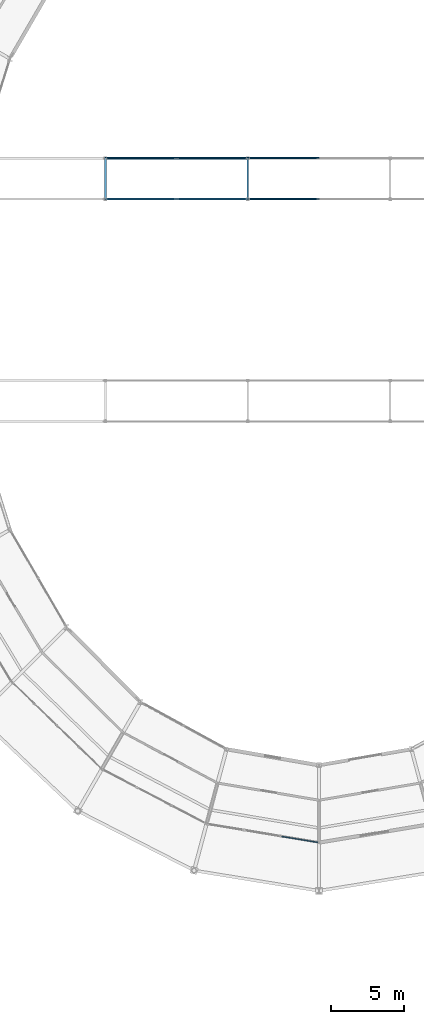
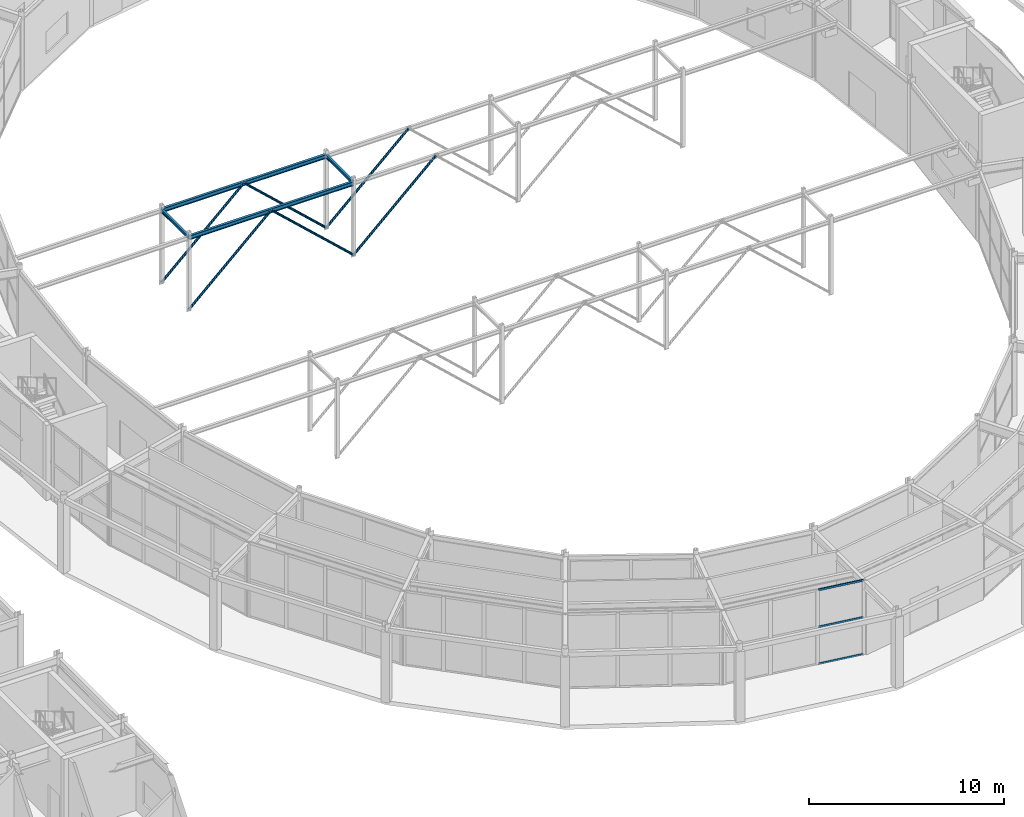
# One storey, part 49 of 144: 9 members, 4 beams, 1 element without a shape of its own.
"""IFC4 building model written with IfcOpenShell, lengths in metres."""

from ifc_helpers import new_model, si_unit, direction, frame, origin, origin_2d, place, context, subcontext, project, spatial, hollow_rectangle, hollow_circle, i_section, extrude, material, material_profile, profile_set, type_object, element, aggregate, save


model = new_model("IFC4")

# Units and contexts
model_context = context("Model", 3, precision=1e-05, world=origin(), true_north=direction((0.0, 1.0)))
body_context = subcontext(model_context, "Body", "Model", "MODEL_VIEW")
ifc_project = project(units=[si_unit("LENGTHUNIT", "METRE"), si_unit("AREAUNIT", "SQUARE_METRE"), si_unit("VOLUMEUNIT", "CUBIC_METRE"), si_unit("PLANEANGLEUNIT", "RADIAN"), si_unit("MASSUNIT", "GRAM", prefix="KILO")], contexts=[model_context])

# Site, building, storey
site_placement = place(None, origin())
site = spatial("IfcSite", under=ifc_project, at=site_placement, CompositionType="ELEMENT")
building_placement = place(site_placement, origin())
building = spatial("IfcBuilding", under=site, at=building_placement, Name="Karori Crest Natural Sciences Institute", CompositionType="ELEMENT")
storey_placement = place(building_placement, origin())
storey = spatial("IfcBuildingStorey", under=building, at=storey_placement, Name="L00", CompositionType="ELEMENT", Elevation=0.0)

# Beams
ifc_material_1 = material(Name="Structural steel AS/NZS 3679.1 Grade 350", Category="steel")
ifc_material_profile_1 = material_profile(ifc_material_1, i_section(OverallWidth=0.14599609375, OverallDepth=0.256103515625, WebThickness=0.00634765625, FlangeThickness=0.010986328125, FilletRadius=0.009033203125, at=origin_2d()), Name="250UB37.3")
ifc_profile_set_1 = profile_set([ifc_material_profile_1], Name="Structural steel AS/NZS 3679.1 Grade 350")
beam_type_1 = type_object("IfcBeamType", Name="BT-11", PredefinedType="BEAM", material=ifc_profile_set_1)
for number, where, z_axis, x_axis, name in (
    (1, (51.7900390625, 56.39990234375, 4.511962890625), (1.0, 0.0, 0.0), (0.0, 1.0, 0.0), "Beam B-0742"),
    (2, (51.7900390625, 59.199951171875, 4.511962890625), (1.0, 0.0, 0.0), (0.0, 1.0, 0.0), "Beam B-0745"),
):
    element("IfcBeam", number, at=place(storey_placement, frame(where, z_axis=z_axis, x_axis=x_axis)), inside=storey, type_object=beam_type_1, Name=name, PredefinedType="BEAM", context=body_context, shape_type="SweptSolid", body=[
        extrude(i_section(OverallWidth=0.14599609375, OverallDepth=0.256103515625, WebThickness=0.00634765625, FlangeThickness=0.010986328125, FilletRadius=0.009033203125, at=origin_2d()), origin(), (0.0, 0.0, 1.0), 9.739990234375),
    ])
ifc_material_profile_2 = material_profile(ifc_material_1, i_section(OverallWidth=0.134033203125, OverallDepth=0.20703125, WebThickness=0.00634765625, FlangeThickness=0.009521484375, FilletRadius=0.009033203125, at=origin_2d()), Name="200UB29.8")
ifc_profile_set_2 = profile_set([ifc_material_profile_2], Name="Structural steel AS/NZS 3679.1 Grade 350")
beam_type_2 = type_object("IfcBeamType", Name="BT-13", PredefinedType="BEAM", material=ifc_profile_set_2)
for number, where, z_axis, x_axis, name in (
    (3, (51.7900390625, 56.39990234375, 4.52001953125), (0.0, 1.0, 0.0), (-1.0, 0.0, 0.0), "Beam B-0748"),
    (4, (61.530029296875, 56.39990234375, 4.52001953125), (0.0, 1.0, 0.0), (-1.0, 0.0, 0.0), "Beam B-0749"),
):
    element("IfcBeam", number, at=place(storey_placement, frame(where, z_axis=z_axis, x_axis=x_axis)), inside=storey, type_object=beam_type_2, Name=name, PredefinedType="BEAM", context=body_context, shape_type="SweptSolid", body=[
        extrude(i_section(OverallWidth=0.134033203125, OverallDepth=0.20703125, WebThickness=0.00634765625, FlangeThickness=0.009521484375, FilletRadius=0.009033203125, at=origin_2d()), origin(), (0.0, 0.0, 1.0), 2.800048828125),
    ])

# Curtain wall, members
ifc_material_2 = material(Name="Anodised architectural aluminium 6063-T6", Category="aluminium")
curtain_wall_type = type_object("IfcCurtainWallType", Name="CWT-08", PredefinedType="NOTDEFINED", material=ifc_material_2)
curtain_wall_placement = place(storey_placement, origin())
curtain_wall = element("IfcCurtainWall", 5, at=curtain_wall_placement, inside=storey, type_object=curtain_wall_type, Name="Curtain wall CW-0023", PredefinedType="NOTDEFINED")
ifc_material_profile_3 = material_profile(ifc_material_2, hollow_rectangle(XDim=0.06005859375, YDim=0.1201171875, WallThickness=0.00390625, at=origin_2d()), Name="CWT120x60x4")
ifc_profile_set_3 = profile_set([ifc_material_profile_3], Name="Anodised architectural aluminium 6063-T6")
member_type_1 = type_object("IfcMemberType", Name="CWT-TR1", PredefinedType="USERDEFINED", material=ifc_profile_set_3)
member_1_placement = place(storey_placement, frame((66.306396484375, 12.41552734375, 0.030029296875), z_axis=(-0.986465908078, 0.163966497187, 0.0), x_axis=(-0.163966497187, -0.986465908078, 0.0)))
member_1 = element("IfcMember", 6, at=member_1_placement, type_object=member_type_1, Name="CW-0023 transom 1.1", ObjectType="TRANSOM", PredefinedType="USERDEFINED", context=body_context, shape_type="SweptSolid", body=[
    extrude(hollow_rectangle(XDim=0.06005859375, YDim=0.1201171875, WallThickness=0.00390625, at=origin_2d()), origin(), (0.0, 0.0, 1.0), 2.4716796875),
])
member_2_placement = place(storey_placement, frame((66.306396484375, 12.41552734375, 2.340087890625), z_axis=(-0.986465908078, 0.163966497187, 0.0), x_axis=(-0.163966497187, -0.986465908078, 0.0)))
member_2 = element("IfcMember", 7, at=member_2_placement, type_object=member_type_1, Name="CW-0023 transom 1.2", ObjectType="TRANSOM", PredefinedType="USERDEFINED", context=body_context, shape_type="SweptSolid", body=[
    extrude(hollow_rectangle(XDim=0.06005859375, YDim=0.1201171875, WallThickness=0.00390625, at=origin_2d()), origin(), (0.0, 0.0, 1.0), 2.4716796875),
])
member_3_placement = place(storey_placement, frame((66.306396484375, 12.41552734375, 4.64990234375), z_axis=(-0.986465908078, 0.163966497187, 0.0), x_axis=(-0.163966497187, -0.986465908078, 0.0)))
member_3 = element("IfcMember", 8, at=member_3_placement, type_object=member_type_1, Name="CW-0023 transom 1.3", ObjectType="TRANSOM", PredefinedType="USERDEFINED", context=body_context, shape_type="SweptSolid", body=[
    extrude(hollow_rectangle(XDim=0.06005859375, YDim=0.1201171875, WallThickness=0.00390625, at=origin_2d()), origin(), (0.0, 0.0, 1.0), 2.4716796875),
])
aggregate(curtain_wall, [member_1, member_2, member_3])

# Members
ifc_material_3 = material(Name="Hollow structural steel AS/NZS 1163 Grade C350", Category="steel")
ifc_material_profile_4 = material_profile(ifc_material_3, hollow_circle(Radius=0.06982421875, WallThickness=0.00634765625, at=origin_2d()), Name="CHS139.7x6.4")
ifc_profile_set_4 = profile_set([ifc_material_profile_4], Name="Hollow structural steel AS/NZS 1163 Grade C350")
member_type_2 = type_object("IfcMemberType", Name="MT-18", PredefinedType="STRUT", material=ifc_profile_set_4)
member_4_placement = place(storey_placement, frame((51.7900390625, 56.39990234375, 0.010009765625), z_axis=(0.733695473157, 0.0, 0.679478441652), x_axis=(0.0, 1.0, 0.0)))
element("IfcMember", 9, at=member_4_placement, inside=storey, type_object=member_type_2, Name="Member M-0219", PredefinedType="STRUT", context=body_context, shape_type="SweptSolid", body=[
    extrude(hollow_circle(Radius=0.06982421875, WallThickness=0.00634765625, at=origin_2d()), origin(), (0.0, 0.0, 1.0), 6.637451171875),
])
member_5_placement = place(storey_placement, frame((61.530029296875, 56.39990234375, 0.010009765625), z_axis=(-0.7337124545, 0.0, 0.679460104871), x_axis=(0.0, -1.0, 0.0)))
element("IfcMember", 10, at=member_5_placement, inside=storey, type_object=member_type_2, Name="Member M-0220", PredefinedType="STRUT", context=body_context, shape_type="SweptSolid", body=[
    extrude(hollow_circle(Radius=0.06982421875, WallThickness=0.00634765625, at=origin_2d()), origin(), (0.0, 0.0, 1.0), 6.6376953125),
])
member_6_placement = place(storey_placement, frame((51.7900390625, 59.199951171875, 0.010009765625), z_axis=(0.733695473157, 0.0, 0.679478441652), x_axis=(0.0, 1.0, 0.0)))
element("IfcMember", 11, at=member_6_placement, inside=storey, type_object=member_type_2, Name="Member M-0221", PredefinedType="STRUT", context=body_context, shape_type="SweptSolid", body=[
    extrude(hollow_circle(Radius=0.06982421875, WallThickness=0.00634765625, at=origin_2d()), origin(), (0.0, 0.0, 1.0), 6.637451171875),
])
member_7_placement = place(storey_placement, frame((61.530029296875, 59.199951171875, 0.010009765625), z_axis=(-0.7337124545, 0.0, 0.679460104871), x_axis=(0.0, -1.0, 0.0)))
element("IfcMember", 12, at=member_7_placement, inside=storey, type_object=member_type_2, Name="Member M-0222", PredefinedType="STRUT", context=body_context, shape_type="SweptSolid", body=[
    extrude(hollow_circle(Radius=0.06982421875, WallThickness=0.00634765625, at=origin_2d()), origin(), (0.0, 0.0, 1.0), 6.6376953125),
])
for number, where, z_axis, x_axis, name in (
    (13, (61.530029296875, 56.39990234375, 0.010009765625), (0.733695473157, 0.0, 0.679478441652), (0.0, 1.0, 0.0), "Member M-0223"),
    (14, (61.530029296875, 59.199951171875, 0.010009765625), (0.733695473157, 0.0, 0.679478441652), (0.0, 1.0, 0.0), "Member M-0225"),
):
    element("IfcMember", number, at=place(storey_placement, frame(where, z_axis=z_axis, x_axis=x_axis)), inside=storey, type_object=member_type_2, Name=name, PredefinedType="STRUT", context=body_context, shape_type="SweptSolid", body=[
        extrude(hollow_circle(Radius=0.06982421875, WallThickness=0.00634765625, at=origin_2d()), origin(), (0.0, 0.0, 1.0), 6.637451171875),
    ])

save(model, "model.ifc")
